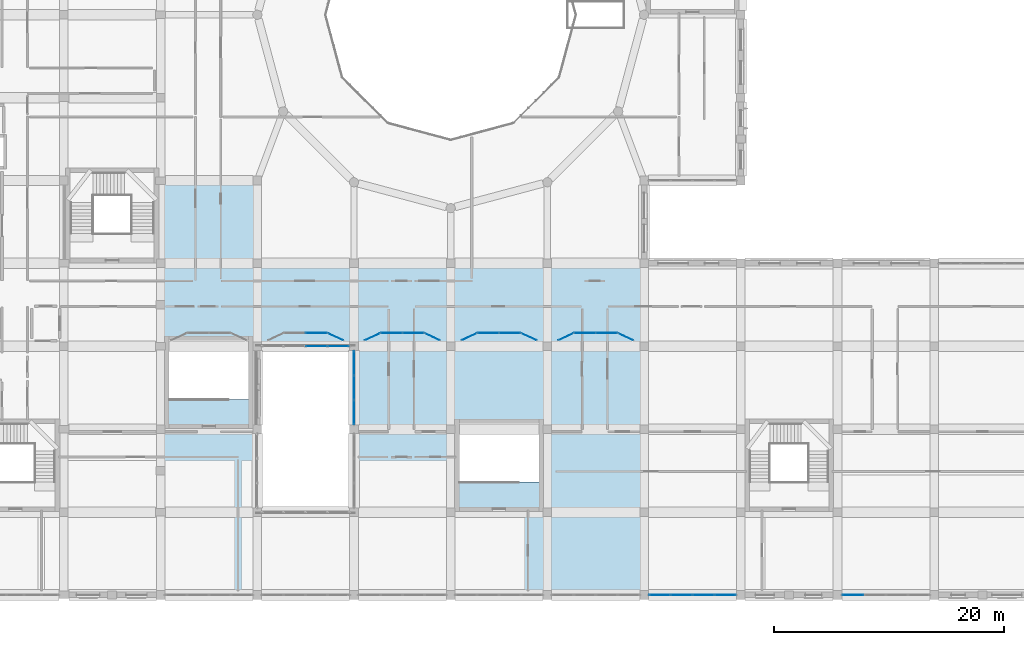
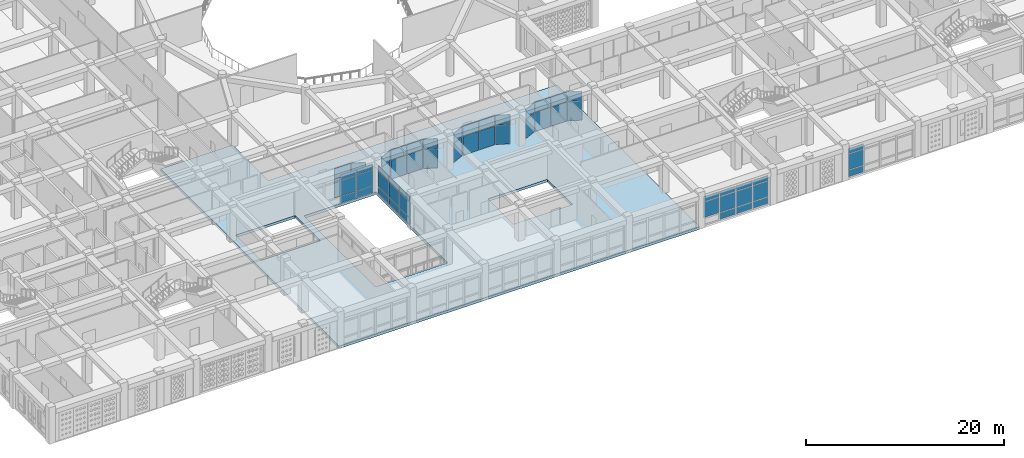
# One storey, part 65 of 121: 57 plates, 1 slab, 15 elements without a shape of their own.
"""IFC4 building model written with IfcOpenShell, lengths in metres."""

import ifcopenshell
import ifcopenshell.guid

model = None  # the IFC model being written
_history = None  # IfcOwnerHistory: only IFC2X3 demands one
_inside = {}  # id of a spatial element -> (the spatial element, [elements in it])
_under = {}  # id of a project, library or spatial element -> (it, [spatial elements below it])
_declared = {}  # id of a project -> (the project, [libraries it declares])
_typed = {}  # id of a type object -> (the type object, [elements of that type])
_made_of = {}  # id of a material, layer set ... -> (it, [elements and type objects made of it])


def new_model(schema):
    """Start an empty IFC model of exactly this schema.

    Asked for "IFC4X3", IfcOpenShell would pick the latest addendum, in which some entities
    have other attributes; the version numbers below select the first issue.
    IFC2X3 requires an IfcOwnerHistory on every rooted entity: one is made here for all.
    """
    global model, _history
    if schema == "IFC4X3":
        model = ifcopenshell.file(schema_version=(4, 3, 0, 0))
    else:
        model = ifcopenshell.file(schema=schema)
    _inside.clear()
    _under.clear()
    _declared.clear()
    _typed.clear()
    _made_of.clear()
    _history = None
    if model.schema == "IFC2X3":
        org = make("IfcOrganization", Name="unknown")
        user = make(
            "IfcPersonAndOrganization",
            ThePerson=make("IfcPerson", FamilyName="unknown"),
            TheOrganization=org,
        )
        app = make(
            "IfcApplication",
            ApplicationDeveloper=org,
            Version="unknown",
            ApplicationFullName="unknown",
            ApplicationIdentifier="unknown",
        )
        _history = make(
            "IfcOwnerHistory",
            OwningUser=user,
            OwningApplication=app,
            ChangeAction="ADDED",
            CreationDate=0,
        )
    return model


def make(cls, **values):
    """One entity of the class cls with the attributes given. An attribute that is None is left unset."""
    return model.create_entity(
        cls, **{name: value for name, value in values.items() if value is not None}
    )


def rooted(cls, **values):
    """An entity with a GlobalId (a new one), such as an element, a storey or a relation."""
    return make(cls, GlobalId=ifcopenshell.guid.new(), OwnerHistory=_history, **values)


def si_unit(unit_type, name, prefix=None):
    """IfcSIUnit, for example si_unit("LENGTHUNIT", "METRE", prefix="MILLI")."""
    return make("IfcSIUnit", UnitType=unit_type, Prefix=prefix, Name=name)


def derived_unit(unit_type, elements):
    """IfcDerivedUnit: a product of units, each with its exponent."""
    return make(
        "IfcDerivedUnit",
        Elements=[
            make("IfcDerivedUnitElement", Unit=unit, Exponent=power)
            for unit, power in elements
        ],
        UnitType=unit_type,
    )


def assignment(units):
    """IfcUnitAssignment: the units of a project."""
    return None if units is None else make("IfcUnitAssignment", Units=units)


def point(xyz):
    """IfcCartesianPoint."""
    return None if xyz is None else make("IfcCartesianPoint", Coordinates=xyz)


def direction(xyz):
    """IfcDirection."""
    return None if xyz is None else make("IfcDirection", DirectionRatios=xyz)


def frame(location, z_axis=None, x_axis=None):
    """IfcAxis2Placement3D, a coordinate frame: its origin and axes. An axis left out is left unset."""
    return make(
        "IfcAxis2Placement3D",
        Location=point(location),
        Axis=direction(z_axis),
        RefDirection=direction(x_axis),
    )


def frame_2d(location, x_axis=None):
    """IfcAxis2Placement2D, a coordinate frame in the plane: its origin and x axis."""
    return make(
        "IfcAxis2Placement2D", Location=point(location), RefDirection=direction(x_axis)
    )


def origin():
    """The frame at (0, 0, 0) with its axes left unset."""
    return frame((0.0, 0.0, 0.0))


def origin_2d():
    """The frame at (0, 0) in the plane with its x axis left unset."""
    return frame_2d((0.0, 0.0))


def place(relative_to, where):
    """IfcLocalPlacement: puts the frame where relative to a parent placement (None: the world)."""
    return make(
        "IfcLocalPlacement", PlacementRelTo=relative_to, RelativePlacement=where
    )


def context(
    kind, dimensions, precision=None, world=None, true_north=None, identifier=None
):
    """IfcGeometricRepresentationContext, for example the 3D "Model" context."""
    return make(
        "IfcGeometricRepresentationContext",
        ContextIdentifier=identifier,
        ContextType=kind,
        CoordinateSpaceDimension=dimensions,
        Precision=precision,
        WorldCoordinateSystem=world,
        TrueNorth=true_north,
    )


def subcontext(parent, identifier, kind, view, scale=None):
    """IfcGeometricRepresentationSubContext, for example "Body" below "Model"."""
    return make(
        "IfcGeometricRepresentationSubContext",
        ContextIdentifier=identifier,
        ContextType=kind,
        ParentContext=parent,
        TargetScale=scale,
        TargetView=view,
    )


def project(units=None, contexts=None):
    """IfcProject with its units and contexts."""
    return rooted(
        "IfcProject",
        Name="project",
        RepresentationContexts=contexts,
        UnitsInContext=assignment(units),
    )


def spatial(cls, under=None, at=None, **own):
    """A site, building, storey or space (cls), placed at a placement, below another one or the project."""
    s = rooted(cls, ObjectPlacement=at, **own)
    if under is not None:
        _under.setdefault(under.id(), (under, []))[1].append(s)
    return s


def polyline(points):
    """IfcPolyline through the points."""
    return make("IfcPolyline", Points=[point(p) for p in points])


def profile(cls, at=None, kind="AREA", **sizes):
    """A parametric profile (cls). Its sizes go by their IFC names, for example OverallWidth=200.0."""
    return make(cls, ProfileType=kind, Position=at, **sizes)


def rectangle(**sizes):
    """IfcRectangleProfileDef."""
    return profile("IfcRectangleProfileDef", **sizes)


def outline(outer, holes=None, kind="AREA"):
    """IfcArbitraryClosedProfileDef: a profile drawn as a closed curve; with holes, ...WithVoids."""
    if holes is None:
        return make("IfcArbitraryClosedProfileDef", ProfileType=kind, OuterCurve=outer)
    return make(
        "IfcArbitraryProfileDefWithVoids",
        ProfileType=kind,
        OuterCurve=outer,
        InnerCurves=holes,
    )


def extrude(swept, where, along, depth):
    """IfcExtrudedAreaSolid: the profile swept, set in the frame where, extruded along a direction by depth."""
    return make(
        "IfcExtrudedAreaSolid",
        SweptArea=swept,
        Position=where,
        ExtrudedDirection=direction(along),
        Depth=depth,
    )


def shape(context_of_items, identifier, shape_type, items):
    """IfcShapeRepresentation: the items that make up one representation, for example the "Body"."""
    return make(
        "IfcShapeRepresentation",
        ContextOfItems=context_of_items,
        RepresentationIdentifier=identifier,
        RepresentationType=shape_type,
        Items=items,
    )


def material(Name=None, Category=None):
    """IfcMaterial."""
    return make("IfcMaterial", Name=Name, Category=Category)


def layer(
    of_material, thickness, ventilated=None, Name=None, Category=None, Priority=None
):
    """IfcMaterialLayer: one layer of a wall or slab, of a material (None: an air gap)."""
    return make(
        "IfcMaterialLayer",
        Material=of_material,
        LayerThickness=thickness,
        IsVentilated=ventilated,
        Name=Name,
        Category=Category,
        Priority=Priority,
    )


def layer_set(layers, Name=None):
    """IfcMaterialLayerSet."""
    return make("IfcMaterialLayerSet", MaterialLayers=layers, LayerSetName=Name)


def made_of(thing, what):
    """Note that an element or type object is made of a material, layer set ...; save() writes the relation."""
    if what is not None:
        _made_of.setdefault(what.id(), (what, []))[1].append(thing)
    return thing


def type_object(cls, material=None, **own):
    """A type object (cls), such as IfcWallType, which elements share."""
    return made_of(rooted(cls, **own), material)


def element(
    cls,
    number,
    at=None,
    inside=None,
    cuts=None,
    type_object=None,
    material=None,
    context=None,
    identifier="Body",
    shape_type=None,
    held_by="IfcProductDefinitionShape",
    body=None,
    shapes=None,
    **own,
):
    """One element of the class cls, such as IfcWall. Its Tag is "e" and its number.

    at: its placement. inside: the storey or other place that contains it. cuts: it is an
    opening in that element (IfcRelVoidsElement). A single representation is given by context,
    identifier, shape_type and body (its items); several are given by shapes. held_by: the class
    of the entity that holds the representations. save() writes the other relations.
    """
    e = rooted(cls, Tag="e%d" % number, ObjectPlacement=at, **own)
    if body is not None:
        shapes = [shape(context, identifier, shape_type, body)]
    if shapes is not None:
        e.Representation = make(held_by, Representations=shapes)
    if inside is not None:
        _inside.setdefault(inside.id(), (inside, []))[1].append(e)
    if cuts is not None:
        rooted(
            "IfcRelVoidsElement", RelatingBuildingElement=cuts, RelatedOpeningElement=e
        )
    if type_object is not None:
        _typed.setdefault(type_object.id(), (type_object, []))[1].append(e)
    return made_of(e, material)


def aggregate(whole, parts):
    """IfcRelAggregates: a whole, such as a stair, and the parts it consists of."""
    return rooted("IfcRelAggregates", RelatingObject=whole, RelatedObjects=parts)


def save(model, path):
    """Write the relations noted so far, then the file.

    IfcRelAggregates (storeys below a building ...), IfcRelContainedInSpatialStructure (elements
    in a storey), IfcRelDefinesByType, IfcRelAssociatesMaterial and IfcRelDeclares: one each for
    every whole, place, type object, material and project.
    """
    for whole, parts in _under.values():
        aggregate(whole, parts)
    for where, things in _inside.values():
        rooted(
            "IfcRelContainedInSpatialStructure",
            RelatedElements=things,
            RelatingStructure=where,
        )
    for kind, things in _typed.values():
        rooted("IfcRelDefinesByType", RelatedObjects=things, RelatingType=kind)
    for what, things in _made_of.values():
        rooted("IfcRelAssociatesMaterial", RelatedObjects=things, RelatingMaterial=what)
    for by, libraries in _declared.values():
        rooted("IfcRelDeclares", RelatingContext=by, RelatedDefinitions=libraries)
    model.write(path)


model = new_model("IFC4")

# Units and contexts
model_context = context("Model", 3, precision=1e-05, world=origin(), true_north=direction((0.0, 1.0)))
body_context = subcontext(model_context, "Body", "Model", "MODEL_VIEW")
ifc_project = project(units=[si_unit("LENGTHUNIT", "METRE"), si_unit("AREAUNIT", "SQUARE_METRE"), si_unit("VOLUMEUNIT", "CUBIC_METRE"), si_unit("PLANEANGLEUNIT", "RADIAN"), si_unit("MASSUNIT", "GRAM", prefix="KILO"), derived_unit("THERMALTRANSMITTANCEUNIT", [(si_unit("POWERUNIT", "WATT"), 1), (si_unit("LENGTHUNIT", "METRE"), -2), (si_unit("THERMODYNAMICTEMPERATUREUNIT", "KELVIN"), -1)])], contexts=[model_context])

# Site, building, storey
site_placement = place(None, origin())
site = spatial("IfcSite", under=ifc_project, at=site_placement, CompositionType="ELEMENT")
building_placement = place(site_placement, origin())
building = spatial("IfcBuilding", under=site, at=building_placement, Name="Veybourne Emporium", CompositionType="ELEMENT")
storey_placement = place(building_placement, frame((0.0, 0.0, 5.39990234375)))
storey = spatial("IfcBuildingStorey", under=building, at=storey_placement, Name="L01", CompositionType="ELEMENT", Elevation=5.39990234375)

# Curtain wall, plates
ifc_material_1 = material(Name="Patinated Architectural Bronze", Category="bronze")
curtain_wall_type_1 = type_object("IfcCurtainWallType", Name="CWSystem_CWS-10", PredefinedType="NOTDEFINED", material=ifc_material_1)
curtain_wall_1_placement = place(storey_placement, origin())
curtain_wall_1 = element("IfcCurtainWall", 1, at=curtain_wall_1_placement, inside=storey, type_object=curtain_wall_type_1, Name="L01 bronze glazed curtain wall CWS-10 (035)", PredefinedType="NOTDEFINED")
ifc_material_2 = material(Name="Low-E Triple Glazing", Category="glass")
ifc_layer_1 = layer(ifc_material_2, 0.028076171875)
ifc_layer_set_1 = layer_set([ifc_layer_1], Name="Low-E Triple Glazing")
plate_type_1 = type_object("IfcPlateType", Name="CWPanel_CW-P1", PredefinedType="CURTAIN_PANEL", material=ifc_layer_set_1)
plate_1_placement = place(storey_placement, frame((65.85009765625, 21.60009765625, 0.074951171875), z_axis=(0.0, 0.0, 1.0), x_axis=(-1.0, 0.0, 0.0)))
plate_1 = element("IfcPlate", 2, at=plate_1_placement, type_object=plate_type_1, Name="CWS-10 panel 1.1", PredefinedType="CURTAIN_PANEL", context=body_context, shape_type="SweptSolid", body=[
    extrude(rectangle(XDim=1.800048828125, YDim=0.028076171875, at=origin_2d()), origin(), (0.0, 0.0, 1.0), 0.78759765625),
])
plate_2_placement = place(storey_placement, frame((65.85009765625, 21.60009765625, 0.9375), z_axis=(0.0, 0.0, 1.0), x_axis=(-1.0, 0.0, 0.0)))
plate_2 = element("IfcPlate", 3, at=plate_2_placement, type_object=plate_type_1, Name="CWS-10 panel 1.2", PredefinedType="CURTAIN_PANEL", context=body_context, shape_type="SweptSolid", body=[
    extrude(rectangle(XDim=1.800048828125, YDim=0.028076171875, at=origin_2d()), origin(), (0.0, 0.0, 1.0), 1.905029296875),
])
plate_3_placement = place(storey_placement, frame((65.85009765625, 21.60009765625, 2.91748046875), z_axis=(0.0, 0.0, 1.0), x_axis=(-1.0, 0.0, 0.0)))
plate_3 = element("IfcPlate", 4, at=plate_3_placement, type_object=plate_type_1, Name="CWS-10 panel 1.3", PredefinedType="CURTAIN_PANEL", context=body_context, shape_type="SweptSolid", body=[
    extrude(rectangle(XDim=1.800048828125, YDim=0.028076171875, at=origin_2d()), origin(), (0.0, 0.0, 1.0), 0.637451171875),
])
plate_4_placement = place(storey_placement, frame((63.956298828125, 21.60009765625, 0.074951171875), z_axis=(0.0, 0.0, 1.0), x_axis=(-1.0, 0.0, 0.0)))
plate_4 = element("IfcPlate", 5, at=plate_4_placement, type_object=plate_type_1, Name="CWS-10 panel 2.1", PredefinedType="CURTAIN_PANEL", context=body_context, shape_type="SweptSolid", body=[
    extrude(rectangle(XDim=1.83740234375, YDim=0.028076171875, at=origin_2d()), origin(), (0.0, 0.0, 1.0), 0.78759765625),
])
plate_5_placement = place(storey_placement, frame((63.956298828125, 21.60009765625, 0.9375), z_axis=(0.0, 0.0, 1.0), x_axis=(-1.0, 0.0, 0.0)))
plate_5 = element("IfcPlate", 6, at=plate_5_placement, type_object=plate_type_1, Name="CWS-10 panel 2.2", PredefinedType="CURTAIN_PANEL", context=body_context, shape_type="SweptSolid", body=[
    extrude(rectangle(XDim=1.83740234375, YDim=0.028076171875, at=origin_2d()), origin(), (0.0, 0.0, 1.0), 1.905029296875),
])
plate_6_placement = place(storey_placement, frame((63.956298828125, 21.60009765625, 2.91748046875), z_axis=(0.0, 0.0, 1.0), x_axis=(-1.0, 0.0, 0.0)))
plate_6 = element("IfcPlate", 7, at=plate_6_placement, type_object=plate_type_1, Name="CWS-10 panel 2.3", PredefinedType="CURTAIN_PANEL", context=body_context, shape_type="SweptSolid", body=[
    extrude(rectangle(XDim=1.83740234375, YDim=0.028076171875, at=origin_2d()), origin(), (0.0, 0.0, 1.0), 0.637451171875),
])
aggregate(curtain_wall_1, [plate_1, plate_2, plate_3, plate_4, plate_5, plate_6])

curtain_wall_type_2 = type_object("IfcCurtainWallType", Name="CWSystem_CWS-14", PredefinedType="NOTDEFINED", material=ifc_material_1)
curtain_wall_2_placement = place(storey_placement, origin())
curtain_wall_2 = element("IfcCurtainWall", 8, at=curtain_wall_2_placement, inside=storey, type_object=curtain_wall_type_2, Name="L01 bronze glazed curtain wall CWS-14 (039)", PredefinedType="NOTDEFINED")
plate_7_placement = place(storey_placement, frame((67.199951171875, 15.86865234375, 0.074951171875), z_axis=(0.0, 0.0, 1.0), x_axis=(0.0, 1.0, 0.0)))
plate_7 = element("IfcPlate", 9, at=plate_7_placement, type_object=plate_type_1, Name="CWS-14 panel 1.1", PredefinedType="CURTAIN_PANEL", context=body_context, shape_type="SweptSolid", body=[
    extrude(rectangle(XDim=2.03759765625, YDim=0.028076171875, at=origin_2d()), origin(), (0.0, 0.0, 1.0), 0.78759765625),
])
plate_8_placement = place(storey_placement, frame((67.199951171875, 15.86865234375, 0.9375), z_axis=(0.0, 0.0, 1.0), x_axis=(0.0, 1.0, 0.0)))
plate_8 = element("IfcPlate", 10, at=plate_8_placement, type_object=plate_type_1, Name="CWS-14 panel 1.2", PredefinedType="CURTAIN_PANEL", context=body_context, shape_type="SweptSolid", body=[
    extrude(rectangle(XDim=2.03759765625, YDim=0.028076171875, at=origin_2d()), origin(), (0.0, 0.0, 1.0), 1.905029296875),
])
plate_9_placement = place(storey_placement, frame((67.199951171875, 15.86865234375, 2.91748046875), z_axis=(0.0, 0.0, 1.0), x_axis=(0.0, 1.0, 0.0)))
plate_9 = element("IfcPlate", 11, at=plate_9_placement, type_object=plate_type_1, Name="CWS-14 panel 1.3", PredefinedType="CURTAIN_PANEL", context=body_context, shape_type="SweptSolid", body=[
    extrude(rectangle(XDim=2.03759765625, YDim=0.028076171875, at=origin_2d()), origin(), (0.0, 0.0, 1.0), 0.637451171875),
])
plate_10_placement = place(storey_placement, frame((67.199951171875, 18.0, 0.074951171875), z_axis=(0.0, 0.0, 1.0), x_axis=(0.0, 1.0, 0.0)))
plate_10 = element("IfcPlate", 12, at=plate_10_placement, type_object=plate_type_1, Name="CWS-14 panel 2.1", PredefinedType="CURTAIN_PANEL", context=body_context, shape_type="SweptSolid", body=[
    extrude(rectangle(XDim=2.074951171875, YDim=0.028076171875, at=origin_2d()), origin(), (0.0, 0.0, 1.0), 0.78759765625),
])
plate_11_placement = place(storey_placement, frame((67.199951171875, 18.0, 0.9375), z_axis=(0.0, 0.0, 1.0), x_axis=(0.0, 1.0, 0.0)))
plate_11 = element("IfcPlate", 13, at=plate_11_placement, type_object=plate_type_1, Name="CWS-14 panel 2.2", PredefinedType="CURTAIN_PANEL", context=body_context, shape_type="SweptSolid", body=[
    extrude(rectangle(XDim=2.074951171875, YDim=0.028076171875, at=origin_2d()), origin(), (0.0, 0.0, 1.0), 1.905029296875),
])
plate_12_placement = place(storey_placement, frame((67.199951171875, 18.0, 2.91748046875), z_axis=(0.0, 0.0, 1.0), x_axis=(0.0, 1.0, 0.0)))
plate_12 = element("IfcPlate", 14, at=plate_12_placement, type_object=plate_type_1, Name="CWS-14 panel 2.3", PredefinedType="CURTAIN_PANEL", context=body_context, shape_type="SweptSolid", body=[
    extrude(rectangle(XDim=2.074951171875, YDim=0.028076171875, at=origin_2d()), origin(), (0.0, 0.0, 1.0), 0.637451171875),
])
plate_13_placement = place(storey_placement, frame((67.199951171875, 20.13134765625, 0.074951171875), z_axis=(0.0, 0.0, 1.0), x_axis=(0.0, 1.0, 0.0)))
plate_13 = element("IfcPlate", 15, at=plate_13_placement, type_object=plate_type_1, Name="CWS-14 panel 3.1", PredefinedType="CURTAIN_PANEL", context=body_context, shape_type="SweptSolid", body=[
    extrude(rectangle(XDim=2.03759765625, YDim=0.028076171875, at=origin_2d()), origin(), (0.0, 0.0, 1.0), 0.78759765625),
])
plate_14_placement = place(storey_placement, frame((67.199951171875, 20.13134765625, 0.9375), z_axis=(0.0, 0.0, 1.0), x_axis=(0.0, 1.0, 0.0)))
plate_14 = element("IfcPlate", 16, at=plate_14_placement, type_object=plate_type_1, Name="CWS-14 panel 3.2", PredefinedType="CURTAIN_PANEL", context=body_context, shape_type="SweptSolid", body=[
    extrude(rectangle(XDim=2.03759765625, YDim=0.028076171875, at=origin_2d()), origin(), (0.0, 0.0, 1.0), 1.905029296875),
])
plate_15_placement = place(storey_placement, frame((67.199951171875, 20.13134765625, 2.91748046875), z_axis=(0.0, 0.0, 1.0), x_axis=(0.0, 1.0, 0.0)))
plate_15 = element("IfcPlate", 17, at=plate_15_placement, type_object=plate_type_1, Name="CWS-14 panel 3.3", PredefinedType="CURTAIN_PANEL", context=body_context, shape_type="SweptSolid", body=[
    extrude(rectangle(XDim=2.03759765625, YDim=0.028076171875, at=origin_2d()), origin(), (0.0, 0.0, 1.0), 0.637451171875),
])
aggregate(curtain_wall_2, [plate_7, plate_8, plate_9, plate_10, plate_11, plate_12, plate_13, plate_14, plate_15])

curtain_wall_type_3 = type_object("IfcCurtainWallType", Name="CWSystem_CWS-19", PredefinedType="NOTDEFINED", material=ifc_material_1)
curtain_wall_3_placement = place(storey_placement, origin())
curtain_wall_3 = element("IfcCurtainWall", 18, at=curtain_wall_3_placement, inside=storey, type_object=curtain_wall_type_3, Name="L01 bronze glazed curtain wall CWS-19 (046)", PredefinedType="NOTDEFINED")
plate_16_placement = place(storey_placement, frame((99.44921875, 0.0, 0.078125), z_axis=(0.0, 0.0, 1.0), x_axis=(-1.0, 0.0, 0.0)))
plate_16 = element("IfcPlate", 19, at=plate_16_placement, type_object=plate_type_1, Name="CWS-19 panel 1.1", PredefinedType="CURTAIN_PANEL", context=body_context, shape_type="SweptSolid", body=[
    extrude(rectangle(XDim=1.79541015625, YDim=0.028076171875, at=origin_2d()), origin(), (0.0, 0.0, 1.0), 0.782958984375),
])
plate_17_placement = place(storey_placement, frame((99.44921875, 0.0, 0.93896484375), z_axis=(0.0, 0.0, 1.0), x_axis=(-1.0, 0.0, 0.0)))
plate_17 = element("IfcPlate", 20, at=plate_17_placement, type_object=plate_type_1, Name="CWS-19 panel 1.2", PredefinedType="CURTAIN_PANEL", context=body_context, shape_type="SweptSolid", body=[
    extrude(rectangle(XDim=1.79541015625, YDim=0.028076171875, at=origin_2d()), origin(), (0.0, 0.0, 1.0), 1.902099609375),
])
plate_18_placement = place(storey_placement, frame((99.44921875, 0.0, 2.9189453125), z_axis=(0.0, 0.0, 1.0), x_axis=(-1.0, 0.0, 0.0)))
plate_18 = element("IfcPlate", 21, at=plate_18_placement, type_object=plate_type_1, Name="CWS-19 panel 1.3", PredefinedType="CURTAIN_PANEL", context=body_context, shape_type="SweptSolid", body=[
    extrude(rectangle(XDim=1.79541015625, YDim=0.028076171875, at=origin_2d()), origin(), (0.0, 0.0, 1.0), 0.633056640625),
])
plate_19_placement = place(storey_placement, frame((97.55615234375, 0.0, 0.078125), z_axis=(0.0, 0.0, 1.0), x_axis=(-1.0, 0.0, 0.0)))
plate_19 = element("IfcPlate", 22, at=plate_19_placement, type_object=plate_type_1, Name="CWS-19 panel 2.1", PredefinedType="CURTAIN_PANEL", context=body_context, shape_type="SweptSolid", body=[
    extrude(rectangle(XDim=1.83447265625, YDim=0.028076171875, at=origin_2d()), origin(), (0.0, 0.0, 1.0), 0.782958984375),
])
plate_20_placement = place(storey_placement, frame((97.55615234375, 0.0, 0.93896484375), z_axis=(0.0, 0.0, 1.0), x_axis=(-1.0, 0.0, 0.0)))
plate_20 = element("IfcPlate", 23, at=plate_20_placement, type_object=plate_type_1, Name="CWS-19 panel 2.2", PredefinedType="CURTAIN_PANEL", context=body_context, shape_type="SweptSolid", body=[
    extrude(rectangle(XDim=1.83447265625, YDim=0.028076171875, at=origin_2d()), origin(), (0.0, 0.0, 1.0), 1.902099609375),
])
plate_21_placement = place(storey_placement, frame((97.55615234375, 0.0, 2.9189453125), z_axis=(0.0, 0.0, 1.0), x_axis=(-1.0, 0.0, 0.0)))
plate_21 = element("IfcPlate", 24, at=plate_21_placement, type_object=plate_type_1, Name="CWS-19 panel 2.3", PredefinedType="CURTAIN_PANEL", context=body_context, shape_type="SweptSolid", body=[
    extrude(rectangle(XDim=1.83447265625, YDim=0.028076171875, at=origin_2d()), origin(), (0.0, 0.0, 1.0), 0.633056640625),
])
plate_22_placement = place(storey_placement, frame((95.643798828125, 0.0, 0.078125), z_axis=(0.0, 0.0, 1.0), x_axis=(-1.0, 0.0, 0.0)))
plate_22 = element("IfcPlate", 25, at=plate_22_placement, type_object=plate_type_1, Name="CWS-19 panel 3.1", PredefinedType="CURTAIN_PANEL", context=body_context, shape_type="SweptSolid", body=[
    extrude(rectangle(XDim=1.83447265625, YDim=0.028076171875, at=origin_2d()), origin(), (0.0, 0.0, 1.0), 0.782958984375),
])
plate_23_placement = place(storey_placement, frame((95.643798828125, 0.0, 0.93896484375), z_axis=(0.0, 0.0, 1.0), x_axis=(-1.0, 0.0, 0.0)))
plate_23 = element("IfcPlate", 26, at=plate_23_placement, type_object=plate_type_1, Name="CWS-19 panel 3.2", PredefinedType="CURTAIN_PANEL", context=body_context, shape_type="SweptSolid", body=[
    extrude(rectangle(XDim=1.83447265625, YDim=0.028076171875, at=origin_2d()), origin(), (0.0, 0.0, 1.0), 1.902099609375),
])
plate_24_placement = place(storey_placement, frame((95.643798828125, 0.0, 2.9189453125), z_axis=(0.0, 0.0, 1.0), x_axis=(-1.0, 0.0, 0.0)))
plate_24 = element("IfcPlate", 27, at=plate_24_placement, type_object=plate_type_1, Name="CWS-19 panel 3.3", PredefinedType="CURTAIN_PANEL", context=body_context, shape_type="SweptSolid", body=[
    extrude(rectangle(XDim=1.83447265625, YDim=0.028076171875, at=origin_2d()), origin(), (0.0, 0.0, 1.0), 0.633056640625),
])
plate_25_placement = place(storey_placement, frame((93.750732421875, 0.0, 0.93896484375), z_axis=(0.0, 0.0, 1.0), x_axis=(-1.0, 0.0, 0.0)))
plate_25 = element("IfcPlate", 28, at=plate_25_placement, type_object=plate_type_1, Name="CWS-19 panel 4.2", PredefinedType="CURTAIN_PANEL", context=body_context, shape_type="SweptSolid", body=[
    extrude(rectangle(XDim=1.79541015625, YDim=0.028076171875, at=origin_2d()), origin(), (0.0, 0.0, 1.0), 1.902099609375),
])
plate_26_placement = place(storey_placement, frame((93.750732421875, 0.0, 2.9189453125), z_axis=(0.0, 0.0, 1.0), x_axis=(-1.0, 0.0, 0.0)))
plate_26 = element("IfcPlate", 29, at=plate_26_placement, type_object=plate_type_1, Name="CWS-19 panel 4.3", PredefinedType="CURTAIN_PANEL", context=body_context, shape_type="SweptSolid", body=[
    extrude(rectangle(XDim=1.79541015625, YDim=0.028076171875, at=origin_2d()), origin(), (0.0, 0.0, 1.0), 0.633056640625),
])
aggregate(curtain_wall_3, [plate_16, plate_17, plate_18, plate_19, plate_20, plate_21, plate_22, plate_23, plate_24, plate_25, plate_26])

curtain_wall_type_4 = type_object("IfcCurtainWallType", Name="CWSystem_CWS-24", PredefinedType="NOTDEFINED", material=ifc_material_1)
curtain_wall_4_placement = place(storey_placement, origin())
curtain_wall_4 = element("IfcCurtainWall", 30, at=curtain_wall_4_placement, inside=storey, type_object=curtain_wall_type_4, Name="L01 bronze glazed curtain wall CWS-24 (063)", PredefinedType="NOTDEFINED")
plate_27_placement = place(storey_placement, frame((110.548828125, 0.0, 0.070068359375), z_axis=(0.0, 0.0, 1.0), x_axis=(-1.0, 0.0, 0.0)))
plate_27 = element("IfcPlate", 31, at=plate_27_placement, type_object=plate_type_1, Name="CWS-24 panel 4.1", PredefinedType="CURTAIN_PANEL", context=body_context, shape_type="SweptSolid", body=[
    extrude(rectangle(XDim=1.8076171875, YDim=0.028076171875, at=origin_2d()), origin(), (0.0, 0.0, 1.0), 0.794921875),
])
plate_28_placement = place(storey_placement, frame((110.548828125, 0.0, 0.93505859375), z_axis=(0.0, 0.0, 1.0), x_axis=(-1.0, 0.0, 0.0)))
plate_28 = element("IfcPlate", 32, at=plate_28_placement, type_object=plate_type_1, Name="CWS-24 panel 4.2", PredefinedType="CURTAIN_PANEL", context=body_context, shape_type="SweptSolid", body=[
    extrude(rectangle(XDim=1.8076171875, YDim=0.028076171875, at=origin_2d()), origin(), (0.0, 0.0, 1.0), 1.909912109375),
])
plate_29_placement = place(storey_placement, frame((110.548828125, 0.0, 2.9150390625), z_axis=(0.0, 0.0, 1.0), x_axis=(-1.0, 0.0, 0.0)))
plate_29 = element("IfcPlate", 33, at=plate_29_placement, type_object=plate_type_1, Name="CWS-24 panel 4.3", PredefinedType="CURTAIN_PANEL", context=body_context, shape_type="SweptSolid", body=[
    extrude(rectangle(XDim=1.8076171875, YDim=0.028076171875, at=origin_2d()), origin(), (0.0, 0.0, 1.0), 0.64501953125),
])
aggregate(curtain_wall_4, [plate_27, plate_28, plate_29])

curtain_wall_type_5 = type_object("IfcCurtainWallType", Name="CWSystem_CWI-03", PredefinedType="NOTDEFINED", material=ifc_material_1)
curtain_wall_5_placement = place(storey_placement, origin())
curtain_wall_5 = element("IfcCurtainWall", 34, at=curtain_wall_5_placement, inside=storey, type_object=curtain_wall_type_5, Name="Arcade bow-front boutique shopfront L01 bay 7 facet 2", PredefinedType="NOTDEFINED")
ifc_material_3 = material(Name="Solar Control Laminated Glass", Category="glass")
ifc_layer_2 = layer(ifc_material_3, 0.02197265625)
ifc_layer_set_2 = layer_set([ifc_layer_2], Name="Solar Control Laminated Glass")
plate_type_2 = type_object("IfcPlateType", Name="CWPanel_CW-P3", PredefinedType="CURTAIN_PANEL", material=ifc_layer_set_2)
plate_30_placement = place(storey_placement, frame((63.9375, 22.75, 0.05029296875), z_axis=(0.0, 0.0, 1.0), x_axis=(1.0, 0.0, 0.0)))
plate_30 = element("IfcPlate", 35, at=plate_30_placement, type_object=plate_type_2, Name="CWI-03 panel 2.1", PredefinedType="CURTAIN_PANEL", context=body_context, shape_type="SweptSolid", body=[
    extrude(rectangle(XDim=1.824951171875, YDim=0.02197265625, at=origin_2d()), origin(), (0.0, 0.0, 1.0), 2.324951171875),
])
plate_31_placement = place(storey_placement, frame((63.9375, 22.75, 2.425048828125), z_axis=(0.0, 0.0, 1.0), x_axis=(1.0, 0.0, 0.0)))
plate_31 = element("IfcPlate", 36, at=plate_31_placement, type_object=plate_type_2, Name="CWI-03 panel 2.2", PredefinedType="CURTAIN_PANEL", context=body_context, shape_type="SweptSolid", body=[
    extrude(rectangle(XDim=1.824951171875, YDim=0.02197265625, at=origin_2d()), origin(), (0.0, 0.0, 1.0), 1.22509765625),
])
aggregate(curtain_wall_5, [plate_30, plate_31])

curtain_wall_type_6 = type_object("IfcCurtainWallType", Name="CWSystem_CWI-04", PredefinedType="NOTDEFINED", material=ifc_material_1)
curtain_wall_6_placement = place(storey_placement, origin())
curtain_wall_6 = element("IfcCurtainWall", 37, at=curtain_wall_6_placement, inside=storey, type_object=curtain_wall_type_6, Name="Arcade bow-front boutique shopfront L01 bay 7 facet 3", PredefinedType="NOTDEFINED")
plate_32_placement = place(storey_placement, frame((65.60009765625, 22.425048828125, 0.05029296875), z_axis=(0.0, 0.0, 1.0), x_axis=(0.907008967749, -0.421111306453, 0.0)))
plate_32 = element("IfcPlate", 38, at=plate_32_placement, type_object=plate_type_2, Name="CWI-04 panel 1.1", PredefinedType="CURTAIN_PANEL", context=body_context, shape_type="SweptSolid", body=[
    extrude(rectangle(XDim=1.443603515625, YDim=0.02197265625, at=origin_2d()), origin(), (0.0, 0.0, 1.0), 2.324951171875),
])
plate_33_placement = place(storey_placement, frame((65.60009765625, 22.425048828125, 2.425048828125), z_axis=(0.0, 0.0, 1.0), x_axis=(0.907008967749, -0.421111306453, 0.0)))
plate_33 = element("IfcPlate", 39, at=plate_33_placement, type_object=plate_type_2, Name="CWI-04 panel 1.2", PredefinedType="CURTAIN_PANEL", context=body_context, shape_type="SweptSolid", body=[
    extrude(rectangle(XDim=1.443603515625, YDim=0.02197265625, at=origin_2d()), origin(), (0.0, 0.0, 1.0), 1.22509765625),
])
aggregate(curtain_wall_6, [plate_32, plate_33])

curtain_wall_7_placement = place(storey_placement, origin())
curtain_wall_7 = element("IfcCurtainWall", 40, at=curtain_wall_7_placement, inside=storey, type_object=curtain_wall_type_5, Name="Arcade bow-front boutique shopfront L01 bay 8 facet 1", PredefinedType="NOTDEFINED")
plate_34_placement = place(storey_placement, frame((68.800048828125, 22.425048828125, 0.05029296875), z_axis=(0.0, 0.0, 1.0), x_axis=(0.907008967749, 0.421111306453, 0.0)))
plate_34 = element("IfcPlate", 41, at=plate_34_placement, type_object=plate_type_2, Name="CWI-03 panel 1.1", PredefinedType="CURTAIN_PANEL", context=body_context, shape_type="SweptSolid", body=[
    extrude(rectangle(XDim=1.443603515625, YDim=0.02197265625, at=origin_2d()), origin(), (0.0, 0.0, 1.0), 2.324951171875),
])
plate_35_placement = place(storey_placement, frame((68.800048828125, 22.425048828125, 2.425048828125), z_axis=(0.0, 0.0, 1.0), x_axis=(0.907008967749, 0.421111306453, 0.0)))
plate_35 = element("IfcPlate", 42, at=plate_35_placement, type_object=plate_type_2, Name="CWI-03 panel 1.2", PredefinedType="CURTAIN_PANEL", context=body_context, shape_type="SweptSolid", body=[
    extrude(rectangle(XDim=1.443603515625, YDim=0.02197265625, at=origin_2d()), origin(), (0.0, 0.0, 1.0), 1.22509765625),
])
aggregate(curtain_wall_7, [plate_34, plate_35])

curtain_wall_8_placement = place(storey_placement, origin())
curtain_wall_8 = element("IfcCurtainWall", 43, at=curtain_wall_8_placement, inside=storey, type_object=curtain_wall_type_6, Name="Arcade bow-front boutique shopfront L01 bay 8 facet 2", PredefinedType="NOTDEFINED")
plate_36_placement = place(storey_placement, frame((70.46240234375, 22.75, 0.05029296875), z_axis=(0.0, 0.0, 1.0), x_axis=(1.0, 0.0, 0.0)))
plate_36 = element("IfcPlate", 44, at=plate_36_placement, type_object=plate_type_2, Name="CWI-04 panel 1.1", PredefinedType="CURTAIN_PANEL", context=body_context, shape_type="SweptSolid", body=[
    extrude(rectangle(XDim=1.824951171875, YDim=0.02197265625, at=origin_2d()), origin(), (0.0, 0.0, 1.0), 2.324951171875),
])
plate_37_placement = place(storey_placement, frame((70.46240234375, 22.75, 2.425048828125), z_axis=(0.0, 0.0, 1.0), x_axis=(1.0, 0.0, 0.0)))
plate_37 = element("IfcPlate", 45, at=plate_37_placement, type_object=plate_type_2, Name="CWI-04 panel 1.2", PredefinedType="CURTAIN_PANEL", context=body_context, shape_type="SweptSolid", body=[
    extrude(rectangle(XDim=1.824951171875, YDim=0.02197265625, at=origin_2d()), origin(), (0.0, 0.0, 1.0), 1.22509765625),
])
plate_38_placement = place(storey_placement, frame((72.33740234375, 22.75, 0.05029296875), z_axis=(0.0, 0.0, 1.0), x_axis=(1.0, 0.0, 0.0)))
plate_38 = element("IfcPlate", 46, at=plate_38_placement, type_object=plate_type_2, Name="CWI-04 panel 2.1", PredefinedType="CURTAIN_PANEL", context=body_context, shape_type="SweptSolid", body=[
    extrude(rectangle(XDim=1.824951171875, YDim=0.02197265625, at=origin_2d()), origin(), (0.0, 0.0, 1.0), 2.324951171875),
])
plate_39_placement = place(storey_placement, frame((72.33740234375, 22.75, 2.425048828125), z_axis=(0.0, 0.0, 1.0), x_axis=(1.0, 0.0, 0.0)))
plate_39 = element("IfcPlate", 47, at=plate_39_placement, type_object=plate_type_2, Name="CWI-04 panel 2.2", PredefinedType="CURTAIN_PANEL", context=body_context, shape_type="SweptSolid", body=[
    extrude(rectangle(XDim=1.824951171875, YDim=0.02197265625, at=origin_2d()), origin(), (0.0, 0.0, 1.0), 1.22509765625),
])
aggregate(curtain_wall_8, [plate_36, plate_37, plate_38, plate_39])

curtain_wall_type_7 = type_object("IfcCurtainWallType", Name="CWSystem_CWI-05", PredefinedType="NOTDEFINED", material=ifc_material_1)
curtain_wall_9_placement = place(storey_placement, origin())
curtain_wall_9 = element("IfcCurtainWall", 48, at=curtain_wall_9_placement, inside=storey, type_object=curtain_wall_type_7, Name="Arcade bow-front boutique shopfront L01 bay 8 facet 3", PredefinedType="NOTDEFINED")
plate_40_placement = place(storey_placement, frame((74.0, 22.425048828125, 0.05029296875), z_axis=(0.0, 0.0, 1.0), x_axis=(0.907008967749, -0.421111306453, 0.0)))
plate_40 = element("IfcPlate", 49, at=plate_40_placement, type_object=plate_type_2, Name="CWI-05 panel 1.1", PredefinedType="CURTAIN_PANEL", context=body_context, shape_type="SweptSolid", body=[
    extrude(rectangle(XDim=1.443603515625, YDim=0.02197265625, at=origin_2d()), origin(), (0.0, 0.0, 1.0), 2.324951171875),
])
plate_41_placement = place(storey_placement, frame((74.0, 22.425048828125, 2.425048828125), z_axis=(0.0, 0.0, 1.0), x_axis=(0.907008967749, -0.421111306453, 0.0)))
plate_41 = element("IfcPlate", 50, at=plate_41_placement, type_object=plate_type_2, Name="CWI-05 panel 1.2", PredefinedType="CURTAIN_PANEL", context=body_context, shape_type="SweptSolid", body=[
    extrude(rectangle(XDim=1.443603515625, YDim=0.02197265625, at=origin_2d()), origin(), (0.0, 0.0, 1.0), 1.22509765625),
])
aggregate(curtain_wall_9, [plate_40, plate_41])

curtain_wall_10_placement = place(storey_placement, origin())
curtain_wall_10 = element("IfcCurtainWall", 51, at=curtain_wall_10_placement, inside=storey, type_object=curtain_wall_type_6, Name="Arcade bow-front boutique shopfront L01 bay 9 facet 1", PredefinedType="NOTDEFINED")
plate_42_placement = place(storey_placement, frame((77.199951171875, 22.425048828125, 0.05029296875), z_axis=(0.0, 0.0, 1.0), x_axis=(0.907008967749, 0.421111306453, 0.0)))
plate_42 = element("IfcPlate", 52, at=plate_42_placement, type_object=plate_type_2, Name="CWI-04 panel 1.1", PredefinedType="CURTAIN_PANEL", context=body_context, shape_type="SweptSolid", body=[
    extrude(rectangle(XDim=1.443603515625, YDim=0.02197265625, at=origin_2d()), origin(), (0.0, 0.0, 1.0), 2.324951171875),
])
plate_43_placement = place(storey_placement, frame((77.199951171875, 22.425048828125, 2.425048828125), z_axis=(0.0, 0.0, 1.0), x_axis=(0.907008967749, 0.421111306453, 0.0)))
plate_43 = element("IfcPlate", 53, at=plate_43_placement, type_object=plate_type_2, Name="CWI-04 panel 1.2", PredefinedType="CURTAIN_PANEL", context=body_context, shape_type="SweptSolid", body=[
    extrude(rectangle(XDim=1.443603515625, YDim=0.02197265625, at=origin_2d()), origin(), (0.0, 0.0, 1.0), 1.22509765625),
])
aggregate(curtain_wall_10, [plate_42, plate_43])

curtain_wall_11_placement = place(storey_placement, origin())
curtain_wall_11 = element("IfcCurtainWall", 54, at=curtain_wall_11_placement, inside=storey, type_object=curtain_wall_type_7, Name="Arcade bow-front boutique shopfront L01 bay 9 facet 2", PredefinedType="NOTDEFINED")
plate_44_placement = place(storey_placement, frame((78.862548828125, 22.75, 0.05029296875), z_axis=(0.0, 0.0, 1.0), x_axis=(1.0, 0.0, 0.0)))
plate_44 = element("IfcPlate", 55, at=plate_44_placement, type_object=plate_type_2, Name="CWI-05 panel 1.1", PredefinedType="CURTAIN_PANEL", context=body_context, shape_type="SweptSolid", body=[
    extrude(rectangle(XDim=1.824951171875, YDim=0.02197265625, at=origin_2d()), origin(), (0.0, 0.0, 1.0), 2.324951171875),
])
plate_45_placement = place(storey_placement, frame((78.862548828125, 22.75, 2.425048828125), z_axis=(0.0, 0.0, 1.0), x_axis=(1.0, 0.0, 0.0)))
plate_45 = element("IfcPlate", 56, at=plate_45_placement, type_object=plate_type_2, Name="CWI-05 panel 1.2", PredefinedType="CURTAIN_PANEL", context=body_context, shape_type="SweptSolid", body=[
    extrude(rectangle(XDim=1.824951171875, YDim=0.02197265625, at=origin_2d()), origin(), (0.0, 0.0, 1.0), 1.22509765625),
])
plate_46_placement = place(storey_placement, frame((80.737548828125, 22.75, 0.05029296875), z_axis=(0.0, 0.0, 1.0), x_axis=(1.0, 0.0, 0.0)))
plate_46 = element("IfcPlate", 57, at=plate_46_placement, type_object=plate_type_2, Name="CWI-05 panel 2.1", PredefinedType="CURTAIN_PANEL", context=body_context, shape_type="SweptSolid", body=[
    extrude(rectangle(XDim=1.824951171875, YDim=0.02197265625, at=origin_2d()), origin(), (0.0, 0.0, 1.0), 2.324951171875),
])
plate_47_placement = place(storey_placement, frame((80.737548828125, 22.75, 2.425048828125), z_axis=(0.0, 0.0, 1.0), x_axis=(1.0, 0.0, 0.0)))
plate_47 = element("IfcPlate", 58, at=plate_47_placement, type_object=plate_type_2, Name="CWI-05 panel 2.2", PredefinedType="CURTAIN_PANEL", context=body_context, shape_type="SweptSolid", body=[
    extrude(rectangle(XDim=1.824951171875, YDim=0.02197265625, at=origin_2d()), origin(), (0.0, 0.0, 1.0), 1.22509765625),
])
aggregate(curtain_wall_11, [plate_44, plate_45, plate_46, plate_47])

curtain_wall_type_8 = type_object("IfcCurtainWallType", Name="CWSystem_CWI-06", PredefinedType="NOTDEFINED", material=ifc_material_1)
curtain_wall_12_placement = place(storey_placement, origin())
curtain_wall_12 = element("IfcCurtainWall", 59, at=curtain_wall_12_placement, inside=storey, type_object=curtain_wall_type_8, Name="Arcade bow-front boutique shopfront L01 bay 9 facet 3", PredefinedType="NOTDEFINED")
plate_48_placement = place(storey_placement, frame((82.39990234375, 22.425048828125, 0.05029296875), z_axis=(0.0, 0.0, 1.0), x_axis=(0.907008967749, -0.421111306453, 0.0)))
plate_48 = element("IfcPlate", 60, at=plate_48_placement, type_object=plate_type_2, Name="CWI-06 panel 1.1", PredefinedType="CURTAIN_PANEL", context=body_context, shape_type="SweptSolid", body=[
    extrude(rectangle(XDim=1.443603515625, YDim=0.02197265625, at=origin_2d()), origin(), (0.0, 0.0, 1.0), 2.324951171875),
])
plate_49_placement = place(storey_placement, frame((82.39990234375, 22.425048828125, 2.425048828125), z_axis=(0.0, 0.0, 1.0), x_axis=(0.907008967749, -0.421111306453, 0.0)))
plate_49 = element("IfcPlate", 61, at=plate_49_placement, type_object=plate_type_2, Name="CWI-06 panel 1.2", PredefinedType="CURTAIN_PANEL", context=body_context, shape_type="SweptSolid", body=[
    extrude(rectangle(XDim=1.443603515625, YDim=0.02197265625, at=origin_2d()), origin(), (0.0, 0.0, 1.0), 1.22509765625),
])
aggregate(curtain_wall_12, [plate_48, plate_49])

curtain_wall_13_placement = place(storey_placement, origin())
curtain_wall_13 = element("IfcCurtainWall", 62, at=curtain_wall_13_placement, inside=storey, type_object=curtain_wall_type_7, Name="Arcade bow-front boutique shopfront L01 bay 10 facet 1", PredefinedType="NOTDEFINED")
plate_50_placement = place(storey_placement, frame((85.60009765625, 22.425048828125, 0.05029296875), z_axis=(0.0, 0.0, 1.0), x_axis=(0.907008967749, 0.421111306453, 0.0)))
plate_50 = element("IfcPlate", 63, at=plate_50_placement, type_object=plate_type_2, Name="CWI-05 panel 1.1", PredefinedType="CURTAIN_PANEL", context=body_context, shape_type="SweptSolid", body=[
    extrude(rectangle(XDim=1.443603515625, YDim=0.02197265625, at=origin_2d()), origin(), (0.0, 0.0, 1.0), 2.324951171875),
])
plate_51_placement = place(storey_placement, frame((85.60009765625, 22.425048828125, 2.425048828125), z_axis=(0.0, 0.0, 1.0), x_axis=(0.907008967749, 0.421111306453, 0.0)))
plate_51 = element("IfcPlate", 64, at=plate_51_placement, type_object=plate_type_2, Name="CWI-05 panel 1.2", PredefinedType="CURTAIN_PANEL", context=body_context, shape_type="SweptSolid", body=[
    extrude(rectangle(XDim=1.443603515625, YDim=0.02197265625, at=origin_2d()), origin(), (0.0, 0.0, 1.0), 1.22509765625),
])
aggregate(curtain_wall_13, [plate_50, plate_51])

curtain_wall_14_placement = place(storey_placement, origin())
curtain_wall_14 = element("IfcCurtainWall", 65, at=curtain_wall_14_placement, inside=storey, type_object=curtain_wall_type_8, Name="Arcade bow-front boutique shopfront L01 bay 10 facet 2", PredefinedType="NOTDEFINED")
plate_52_placement = place(storey_placement, frame((87.262451171875, 22.75, 0.05029296875), z_axis=(0.0, 0.0, 1.0), x_axis=(1.0, 0.0, 0.0)))
plate_52 = element("IfcPlate", 66, at=plate_52_placement, type_object=plate_type_2, Name="CWI-06 panel 1.1", PredefinedType="CURTAIN_PANEL", context=body_context, shape_type="SweptSolid", body=[
    extrude(rectangle(XDim=1.824951171875, YDim=0.02197265625, at=origin_2d()), origin(), (0.0, 0.0, 1.0), 2.324951171875),
])
plate_53_placement = place(storey_placement, frame((87.262451171875, 22.75, 2.425048828125), z_axis=(0.0, 0.0, 1.0), x_axis=(1.0, 0.0, 0.0)))
plate_53 = element("IfcPlate", 67, at=plate_53_placement, type_object=plate_type_2, Name="CWI-06 panel 1.2", PredefinedType="CURTAIN_PANEL", context=body_context, shape_type="SweptSolid", body=[
    extrude(rectangle(XDim=1.824951171875, YDim=0.02197265625, at=origin_2d()), origin(), (0.0, 0.0, 1.0), 1.22509765625),
])
plate_54_placement = place(storey_placement, frame((89.137451171875, 22.75, 0.05029296875), z_axis=(0.0, 0.0, 1.0), x_axis=(1.0, 0.0, 0.0)))
plate_54 = element("IfcPlate", 68, at=plate_54_placement, type_object=plate_type_2, Name="CWI-06 panel 2.1", PredefinedType="CURTAIN_PANEL", context=body_context, shape_type="SweptSolid", body=[
    extrude(rectangle(XDim=1.824951171875, YDim=0.02197265625, at=origin_2d()), origin(), (0.0, 0.0, 1.0), 2.324951171875),
])
plate_55_placement = place(storey_placement, frame((89.137451171875, 22.75, 2.425048828125), z_axis=(0.0, 0.0, 1.0), x_axis=(1.0, 0.0, 0.0)))
plate_55 = element("IfcPlate", 69, at=plate_55_placement, type_object=plate_type_2, Name="CWI-06 panel 2.2", PredefinedType="CURTAIN_PANEL", context=body_context, shape_type="SweptSolid", body=[
    extrude(rectangle(XDim=1.824951171875, YDim=0.02197265625, at=origin_2d()), origin(), (0.0, 0.0, 1.0), 1.22509765625),
])
aggregate(curtain_wall_14, [plate_52, plate_53, plate_54, plate_55])

curtain_wall_type_9 = type_object("IfcCurtainWallType", Name="CWSystem_CWI-01", PredefinedType="NOTDEFINED", material=ifc_material_1)
curtain_wall_15_placement = place(storey_placement, origin())
curtain_wall_15 = element("IfcCurtainWall", 70, at=curtain_wall_15_placement, inside=storey, type_object=curtain_wall_type_9, Name="Arcade bow-front boutique shopfront L01 bay 10 facet 3", PredefinedType="NOTDEFINED")
plate_56_placement = place(storey_placement, frame((90.800048828125, 22.425048828125, 0.05029296875), z_axis=(0.0, 0.0, 1.0), x_axis=(0.907008967749, -0.421111306453, 0.0)))
plate_56 = element("IfcPlate", 71, at=plate_56_placement, type_object=plate_type_2, Name="CWI-01 panel 1.1", PredefinedType="CURTAIN_PANEL", context=body_context, shape_type="SweptSolid", body=[
    extrude(rectangle(XDim=1.443603515625, YDim=0.02197265625, at=origin_2d()), origin(), (0.0, 0.0, 1.0), 2.324951171875),
])
plate_57_placement = place(storey_placement, frame((90.800048828125, 22.425048828125, 2.425048828125), z_axis=(0.0, 0.0, 1.0), x_axis=(0.907008967749, -0.421111306453, 0.0)))
plate_57 = element("IfcPlate", 72, at=plate_57_placement, type_object=plate_type_2, Name="CWI-01 panel 1.2", PredefinedType="CURTAIN_PANEL", context=body_context, shape_type="SweptSolid", body=[
    extrude(rectangle(XDim=1.443603515625, YDim=0.02197265625, at=origin_2d()), origin(), (0.0, 0.0, 1.0), 1.22509765625),
])
aggregate(curtain_wall_15, [plate_56, plate_57])

# Slab
ifc_material_4 = material(Name="Concrete C32/40", Category="concrete")
ifc_layer_3 = layer(ifc_material_4, 0.320068359375)
ifc_layer_set_3 = layer_set([ifc_layer_3], Name="Concrete C32/40")
slab_type = type_object("IfcSlabType", Name="Slab_FS-02", PredefinedType="FLOOR", material=ifc_layer_set_3)
slab_placement = place(storey_placement, frame((0.0, 0.0, -0.31982421875)))
element("IfcSlab", 73, at=slab_placement, inside=storey, type_object=slab_type, Name="L01 floor slab FS-02 (V3.1)", PredefinedType="FLOOR", context=body_context, shape_type="SweptSolid", body=[
    extrude(outline(polyline([(50.39990234375, 28.800048828125), (50.39990234375, 36.0), (58.800048828125, 36.0), (58.800048828125, 28.800048828125), (67.199951171875, 28.800048828125), (75.60009765625, 28.800048828125), (84.0, 28.800048828125), (92.39990234375, 28.800048828125), (92.39990234375, 21.60009765625), (92.39990234375, 14.39990234375), (92.39990234375, 7.199951171875), (92.39990234375, 0.0), (84.0, 0.0), (75.60009765625, 0.0), (67.199951171875, 0.0), (58.800048828125, 0.0), (50.39990234375, 0.0), (50.39990234375, 7.199951171875), (50.39990234375, 14.39990234375), (50.39990234375, 21.60009765625), (50.39990234375, 28.800048828125)]), holes=[polyline([(58.800048828125, 21.60009765625), (58.800048828125, 14.39990234375), (58.800048828125, 7.199951171875), (67.199951171875, 7.199951171875), (67.199951171875, 14.39990234375), (67.199951171875, 21.60009765625), (58.800048828125, 21.60009765625)]), polyline([(51.14990234375, 17.0), (58.050048828125, 17.0), (58.050048828125, 22.10009765625), (51.14990234375, 22.10009765625), (51.14990234375, 17.0)]), polyline([(83.25, 9.800048828125), (83.25, 14.89990234375), (76.35009765625, 14.89990234375), (76.35009765625, 9.800048828125), (83.25, 9.800048828125)])]), origin(), (0.0, 0.0, 1.0), 0.31982421875),
])

save(model, "model.ifc")
